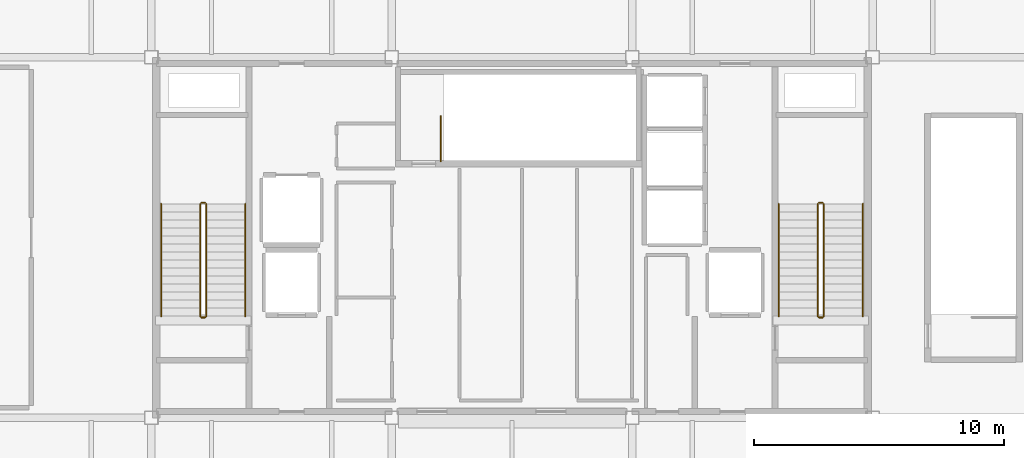
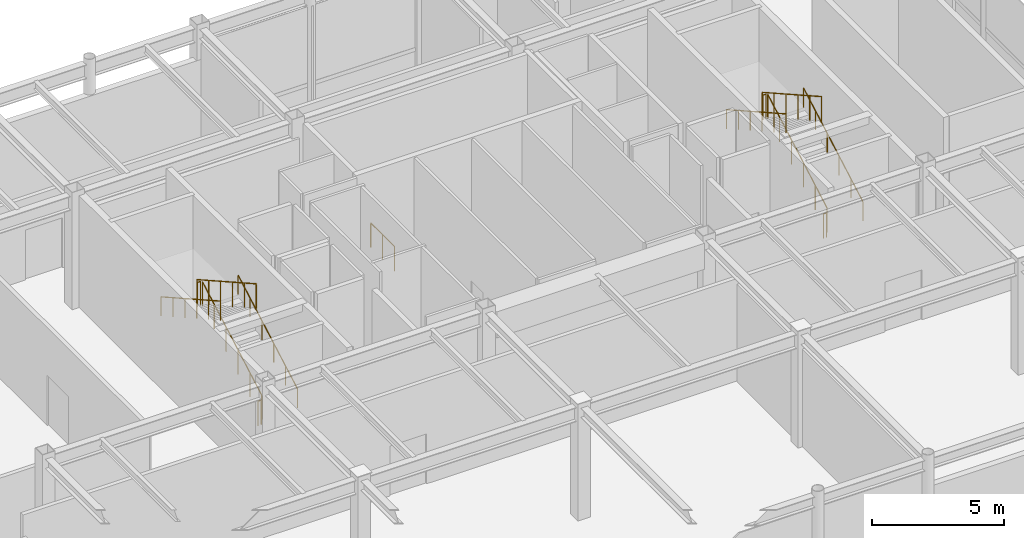
# One storey, part 20 of 21: 13 railings.
"""IFC4 building model written with IfcOpenShell, lengths in metres."""

from ifc_helpers import new_model, si_unit, direction, frame, origin, origin_2d, place, context, subcontext, project, spatial, circle, extrude, material, layer, layer_set, type_object, element, save


model = new_model("IFC4")

# Units and contexts
model_context = context("Model", 3, precision=1e-05, world=origin(), true_north=direction((0.0, 1.0)))
body_context = subcontext(model_context, "Body", "Model", "MODEL_VIEW")
ifc_project = project(units=[si_unit("LENGTHUNIT", "METRE"), si_unit("AREAUNIT", "SQUARE_METRE"), si_unit("VOLUMEUNIT", "CUBIC_METRE"), si_unit("PLANEANGLEUNIT", "RADIAN"), si_unit("MASSUNIT", "GRAM", prefix="KILO")], contexts=[model_context])

# Site, building, storey
site_placement = place(None, origin())
site = spatial("IfcSite", under=ifc_project, at=site_placement, CompositionType="ELEMENT")
building_placement = place(site_placement, origin())
building = spatial("IfcBuilding", under=site, at=building_placement, Name="Kallvorn Hotel Tower", CompositionType="ELEMENT")
storey_placement = place(building_placement, frame((0.0, 0.0, 300.60009765625)))
storey = spatial("IfcBuildingStorey", under=building, at=storey_placement, Name="L74", CompositionType="ELEMENT", Elevation=300.60009765625)

# Railings
ifc_material_1 = material(Name="Brushed stainless-steel tubular railing", Category="steel")
ifc_layer_1 = layer(ifc_material_1, 0.050048828125)
ifc_layer_set_1 = layer_set([ifc_layer_1], Name="RL_STAIR_GUARD")
railing_type_1 = type_object("IfcRailingType", Name="RL_STAIR_GUARD", PredefinedType="GUARDRAIL", material=ifc_layer_set_1)
railing_1_placement = place(storey_placement, frame((-12.2099609375, -3.139892578125, 0.179931640625)))
element("IfcRailing", 1, at=railing_1_placement, inside=storey, type_object=railing_type_1, Name="L74 ST1 stair guard 1", PredefinedType="GUARDRAIL", context=body_context, shape_type="SweptSolid", body=[
    extrude(circle(Radius=0.02392578125, at=origin_2d()), frame((0.0, 0.0, 1.1259765625), z_axis=(0.0, 0.871573000172, 0.490265749743), x_axis=(-1.0, 0.0, 0.0)), (0.0, 0.0, 1.0), 5.14013671875),
    extrude(circle(Radius=0.02099609375, at=origin_2d()), origin(), (0.0, 0.0, 1.0), 1.101806640625),
    extrude(circle(Radius=0.02099609375, at=origin_2d()), frame((0.0, 0.89599609375, 0.50390625)), (0.0, 0.0, 1.0), 1.101806640625),
    extrude(circle(Radius=0.02099609375, at=origin_2d()), frame((0.0, 1.7919921875, 1.008056640625)), (0.0, 0.0, 1.0), 1.101806640625),
    extrude(circle(Radius=0.02099609375, at=origin_2d()), frame((0.0, 2.68798828125, 1.511962890625)), (0.0, 0.0, 1.0), 1.101806640625),
    extrude(circle(Radius=0.02099609375, at=origin_2d()), frame((0.0, 3.583984375, 2.01611328125)), (0.0, 0.0, 1.0), 1.101806640625),
    extrude(circle(Radius=0.02099609375, at=origin_2d()), frame((0.0, 4.47998046875, 2.52001953125)), (0.0, 0.0, 1.0), 1.101806640625),
])
railing_2_placement = place(storey_placement, frame((-12.260009765625, 1.389892578125, 2.699951171875)))
element("IfcRailing", 2, at=railing_2_placement, inside=storey, type_object=railing_type_1, Name="L74 ST1 stair guard 2", PredefinedType="GUARDRAIL", context=body_context, shape_type="SweptSolid", body=[
    extrude(circle(Radius=0.02392578125, at=origin_2d()), frame((0.0, 0.0, 1.1259765625), z_axis=(-1.0, 0.0, 0.0), x_axis=(0.0, -1.0, 0.0)), (0.0, 0.0, 1.0), 0.139892578125),
    extrude(circle(Radius=0.02099609375, at=origin_2d()), origin(), (0.0, 0.0, 1.0), 1.101806640625),
    extrude(circle(Radius=0.02099609375, at=origin_2d()), frame((-0.139892578125, 0.0, 0.0)), (0.0, 0.0, 1.0), 1.101806640625),
])
railing_3_placement = place(storey_placement, frame((-12.449951171875, 1.340087890625, 2.8798828125)))
element("IfcRailing", 3, at=railing_3_placement, inside=storey, type_object=railing_type_1, Name="L74 ST1 stair guard 3", PredefinedType="GUARDRAIL", context=body_context, shape_type="SweptSolid", body=[
    extrude(circle(Radius=0.02392578125, at=origin_2d()), frame((0.0, 0.0, 1.1259765625), z_axis=(0.0, -0.871573000172, 0.490265749743), x_axis=(1.0, 0.0, 0.0)), (0.0, 0.0, 1.0), 5.14013671875),
    extrude(circle(Radius=0.02099609375, at=origin_2d()), origin(), (0.0, 0.0, 1.0), 1.101806640625),
    extrude(circle(Radius=0.02099609375, at=origin_2d()), frame((0.0, -0.89599609375, 0.50390625)), (0.0, 0.0, 1.0), 1.101806640625),
    extrude(circle(Radius=0.02099609375, at=origin_2d()), frame((0.0, -1.7919921875, 1.008056640625)), (0.0, 0.0, 1.0), 1.101806640625),
    extrude(circle(Radius=0.02099609375, at=origin_2d()), frame((0.0, -2.68798828125, 1.511962890625)), (0.0, 0.0, 1.0), 1.101806640625),
    extrude(circle(Radius=0.02099609375, at=origin_2d()), frame((0.0, -3.583984375, 2.01611328125)), (0.0, 0.0, 1.0), 1.101806640625),
    extrude(circle(Radius=0.02099609375, at=origin_2d()), frame((0.0, -4.47998046875, 2.52001953125)), (0.0, 0.0, 1.0), 1.101806640625),
])
railing_4_placement = place(storey_placement, frame((-12.260009765625, -3.18994140625, 0.0)))
element("IfcRailing", 4, at=railing_4_placement, inside=storey, type_object=railing_type_1, Name="L74 ST1 stair guard 4", PredefinedType="GUARDRAIL", context=body_context, shape_type="SweptSolid", body=[
    extrude(circle(Radius=0.02392578125, at=origin_2d()), frame((0.0, 0.0, 1.1259765625), z_axis=(-1.0, 0.0, 0.0), x_axis=(0.0, -1.0, 0.0)), (0.0, 0.0, 1.0), 0.139892578125),
    extrude(circle(Radius=0.02099609375, at=origin_2d()), origin(), (0.0, 0.0, 1.0), 1.101806640625),
    extrude(circle(Radius=0.02099609375, at=origin_2d()), frame((-0.139892578125, 0.0, 0.0)), (0.0, 0.0, 1.0), 1.101806640625),
])
railing_5_placement = place(storey_placement, frame((12.449951171875, -3.139892578125, 0.179931640625)))
element("IfcRailing", 5, at=railing_5_placement, inside=storey, type_object=railing_type_1, Name="L74 ST2 stair guard 1", PredefinedType="GUARDRAIL", context=body_context, shape_type="SweptSolid", body=[
    extrude(circle(Radius=0.02392578125, at=origin_2d()), frame((0.0, 0.0, 1.1259765625), z_axis=(0.0, 0.871573000172, 0.490265749743), x_axis=(-1.0, 0.0, 0.0)), (0.0, 0.0, 1.0), 5.14013671875),
    extrude(circle(Radius=0.02099609375, at=origin_2d()), origin(), (0.0, 0.0, 1.0), 1.101806640625),
    extrude(circle(Radius=0.02099609375, at=origin_2d()), frame((0.0, 0.89599609375, 0.50390625)), (0.0, 0.0, 1.0), 1.101806640625),
    extrude(circle(Radius=0.02099609375, at=origin_2d()), frame((0.0, 1.7919921875, 1.008056640625)), (0.0, 0.0, 1.0), 1.101806640625),
    extrude(circle(Radius=0.02099609375, at=origin_2d()), frame((0.0, 2.68798828125, 1.511962890625)), (0.0, 0.0, 1.0), 1.101806640625),
    extrude(circle(Radius=0.02099609375, at=origin_2d()), frame((0.0, 3.583984375, 2.01611328125)), (0.0, 0.0, 1.0), 1.101806640625),
    extrude(circle(Radius=0.02099609375, at=origin_2d()), frame((0.0, 4.47998046875, 2.52001953125)), (0.0, 0.0, 1.0), 1.101806640625),
])
railing_6_placement = place(storey_placement, frame((12.39990234375, 1.389892578125, 2.699951171875)))
element("IfcRailing", 6, at=railing_6_placement, inside=storey, type_object=railing_type_1, Name="L74 ST2 stair guard 2", PredefinedType="GUARDRAIL", context=body_context, shape_type="SweptSolid", body=[
    extrude(circle(Radius=0.02392578125, at=origin_2d()), frame((0.0, 0.0, 1.1259765625), z_axis=(-1.0, 0.0, 0.0), x_axis=(0.0, -1.0, 0.0)), (0.0, 0.0, 1.0), 0.139892578125),
    extrude(circle(Radius=0.02099609375, at=origin_2d()), origin(), (0.0, 0.0, 1.0), 1.101806640625),
    extrude(circle(Radius=0.02099609375, at=origin_2d()), frame((-0.139892578125, 0.0, 0.0)), (0.0, 0.0, 1.0), 1.101806640625),
])
railing_7_placement = place(storey_placement, frame((12.2099609375, 1.340087890625, 2.8798828125)))
element("IfcRailing", 7, at=railing_7_placement, inside=storey, type_object=railing_type_1, Name="L74 ST2 stair guard 3", PredefinedType="GUARDRAIL", context=body_context, shape_type="SweptSolid", body=[
    extrude(circle(Radius=0.02392578125, at=origin_2d()), frame((0.0, 0.0, 1.1259765625), z_axis=(0.0, -0.871573000172, 0.490265749743), x_axis=(1.0, 0.0, 0.0)), (0.0, 0.0, 1.0), 5.14013671875),
    extrude(circle(Radius=0.02099609375, at=origin_2d()), origin(), (0.0, 0.0, 1.0), 1.101806640625),
    extrude(circle(Radius=0.02099609375, at=origin_2d()), frame((0.0, -0.89599609375, 0.50390625)), (0.0, 0.0, 1.0), 1.101806640625),
    extrude(circle(Radius=0.02099609375, at=origin_2d()), frame((0.0, -1.7919921875, 1.008056640625)), (0.0, 0.0, 1.0), 1.101806640625),
    extrude(circle(Radius=0.02099609375, at=origin_2d()), frame((0.0, -2.68798828125, 1.511962890625)), (0.0, 0.0, 1.0), 1.101806640625),
    extrude(circle(Radius=0.02099609375, at=origin_2d()), frame((0.0, -3.583984375, 2.01611328125)), (0.0, 0.0, 1.0), 1.101806640625),
    extrude(circle(Radius=0.02099609375, at=origin_2d()), frame((0.0, -4.47998046875, 2.52001953125)), (0.0, 0.0, 1.0), 1.101806640625),
])
railing_8_placement = place(storey_placement, frame((12.39990234375, -3.18994140625, 0.0)))
element("IfcRailing", 8, at=railing_8_placement, inside=storey, type_object=railing_type_1, Name="L74 ST2 stair guard 4", PredefinedType="GUARDRAIL", context=body_context, shape_type="SweptSolid", body=[
    extrude(circle(Radius=0.02392578125, at=origin_2d()), frame((0.0, 0.0, 1.1259765625), z_axis=(-1.0, 0.0, 0.0), x_axis=(0.0, -1.0, 0.0)), (0.0, 0.0, 1.0), 0.139892578125),
    extrude(circle(Radius=0.02099609375, at=origin_2d()), origin(), (0.0, 0.0, 1.0), 1.101806640625),
    extrude(circle(Radius=0.02099609375, at=origin_2d()), frame((-0.139892578125, 0.0, 0.0)), (0.0, 0.0, 1.0), 1.101806640625),
])
railing_9_placement = place(storey_placement, frame((-2.840087890625, 3.050048828125, 0.0)))
element("IfcRailing", 9, at=railing_9_placement, inside=storey, type_object=railing_type_1, Name="L74 ST3 top well guard 1", PredefinedType="GUARDRAIL", context=body_context, shape_type="SweptSolid", body=[
    extrude(circle(Radius=0.02392578125, at=origin_2d()), frame((0.0, 0.0, 1.1259765625), z_axis=(0.0, 1.0, 0.0), x_axis=(-1.0, 0.0, 0.0)), (0.0, 0.0, 1.0), 1.800048828125),
    extrude(circle(Radius=0.02099609375, at=origin_2d()), origin(), (0.0, 0.0, 1.0), 1.101806640625),
    extrude(circle(Radius=0.02099609375, at=origin_2d()), frame((0.0, 0.89990234375, 0.0)), (0.0, 0.0, 1.0), 1.101806640625),
    extrude(circle(Radius=0.02099609375, at=origin_2d()), frame((0.0, 1.800048828125, 0.0)), (0.0, 0.0, 1.0), 1.101806640625),
])
ifc_material_2 = material(Name="Brushed stainless-steel tubular railing", Category="steel")
ifc_layer_2 = layer(ifc_material_2, 0.050048828125)
ifc_layer_set_2 = layer_set([ifc_layer_2], Name="RL_STAIR_HAND")
railing_type_2 = type_object("IfcRailingType", Name="RL_STAIR_HAND", PredefinedType="HANDRAIL", material=ifc_layer_set_2)
railing_10_placement = place(storey_placement, frame((-10.64990234375, -3.139892578125, 0.179931640625)))
element("IfcRailing", 10, at=railing_10_placement, inside=storey, type_object=railing_type_2, Name="L74 ST1 stair handrail 1", PredefinedType="HANDRAIL", context=body_context, shape_type="SweptSolid", body=[
    extrude(circle(Radius=0.02392578125, at=origin_2d()), frame((0.0, 0.0, 0.8759765625), z_axis=(0.0, 0.871573000172, 0.490265749743), x_axis=(-1.0, 0.0, 0.0)), (0.0, 0.0, 1.0), 5.14013671875),
    extrude(circle(Radius=0.02099609375, at=origin_2d()), origin(), (0.0, 0.0, 1.0), 0.851806640625),
    extrude(circle(Radius=0.02099609375, at=origin_2d()), frame((0.0, 0.89599609375, 0.50390625)), (0.0, 0.0, 1.0), 0.851806640625),
    extrude(circle(Radius=0.02099609375, at=origin_2d()), frame((0.0, 1.7919921875, 1.008056640625)), (0.0, 0.0, 1.0), 0.851806640625),
    extrude(circle(Radius=0.02099609375, at=origin_2d()), frame((0.0, 2.68798828125, 1.511962890625)), (0.0, 0.0, 1.0), 0.851806640625),
    extrude(circle(Radius=0.02099609375, at=origin_2d()), frame((0.0, 3.583984375, 2.01611328125)), (0.0, 0.0, 1.0), 0.851806640625),
    extrude(circle(Radius=0.02099609375, at=origin_2d()), frame((0.0, 4.47998046875, 2.52001953125)), (0.0, 0.0, 1.0), 0.851806640625),
])
railing_11_placement = place(storey_placement, frame((-14.010009765625, 1.340087890625, 2.8798828125)))
element("IfcRailing", 11, at=railing_11_placement, inside=storey, type_object=railing_type_2, Name="L74 ST1 stair handrail 2", PredefinedType="HANDRAIL", context=body_context, shape_type="SweptSolid", body=[
    extrude(circle(Radius=0.02392578125, at=origin_2d()), frame((0.0, 0.0, 0.8759765625), z_axis=(0.0, -0.871573000172, 0.490265749743), x_axis=(1.0, 0.0, 0.0)), (0.0, 0.0, 1.0), 5.14013671875),
    extrude(circle(Radius=0.02099609375, at=origin_2d()), origin(), (0.0, 0.0, 1.0), 0.851806640625),
    extrude(circle(Radius=0.02099609375, at=origin_2d()), frame((0.0, -0.89599609375, 0.50390625)), (0.0, 0.0, 1.0), 0.851806640625),
    extrude(circle(Radius=0.02099609375, at=origin_2d()), frame((0.0, -1.7919921875, 1.008056640625)), (0.0, 0.0, 1.0), 0.851806640625),
    extrude(circle(Radius=0.02099609375, at=origin_2d()), frame((0.0, -2.68798828125, 1.511962890625)), (0.0, 0.0, 1.0), 0.851806640625),
    extrude(circle(Radius=0.02099609375, at=origin_2d()), frame((0.0, -3.583984375, 2.01611328125)), (0.0, 0.0, 1.0), 0.851806640625),
    extrude(circle(Radius=0.02099609375, at=origin_2d()), frame((0.0, -4.47998046875, 2.52001953125)), (0.0, 0.0, 1.0), 0.851806640625),
])
railing_12_placement = place(storey_placement, frame((14.010009765625, -3.139892578125, 0.179931640625)))
element("IfcRailing", 12, at=railing_12_placement, inside=storey, type_object=railing_type_2, Name="L74 ST2 stair handrail 1", PredefinedType="HANDRAIL", context=body_context, shape_type="SweptSolid", body=[
    extrude(circle(Radius=0.02392578125, at=origin_2d()), frame((0.0, 0.0, 0.8759765625), z_axis=(0.0, 0.871573000172, 0.490265749743), x_axis=(-1.0, 0.0, 0.0)), (0.0, 0.0, 1.0), 5.14013671875),
    extrude(circle(Radius=0.02099609375, at=origin_2d()), origin(), (0.0, 0.0, 1.0), 0.851806640625),
    extrude(circle(Radius=0.02099609375, at=origin_2d()), frame((0.0, 0.89599609375, 0.50390625)), (0.0, 0.0, 1.0), 0.851806640625),
    extrude(circle(Radius=0.02099609375, at=origin_2d()), frame((0.0, 1.7919921875, 1.008056640625)), (0.0, 0.0, 1.0), 0.851806640625),
    extrude(circle(Radius=0.02099609375, at=origin_2d()), frame((0.0, 2.68798828125, 1.511962890625)), (0.0, 0.0, 1.0), 0.851806640625),
    extrude(circle(Radius=0.02099609375, at=origin_2d()), frame((0.0, 3.583984375, 2.01611328125)), (0.0, 0.0, 1.0), 0.851806640625),
    extrude(circle(Radius=0.02099609375, at=origin_2d()), frame((0.0, 4.47998046875, 2.52001953125)), (0.0, 0.0, 1.0), 0.851806640625),
])
railing_13_placement = place(storey_placement, frame((10.64990234375, 1.340087890625, 2.8798828125)))
element("IfcRailing", 13, at=railing_13_placement, inside=storey, type_object=railing_type_2, Name="L74 ST2 stair handrail 2", PredefinedType="HANDRAIL", context=body_context, shape_type="SweptSolid", body=[
    extrude(circle(Radius=0.02392578125, at=origin_2d()), frame((0.0, 0.0, 0.8759765625), z_axis=(0.0, -0.871573000172, 0.490265749743), x_axis=(1.0, 0.0, 0.0)), (0.0, 0.0, 1.0), 5.14013671875),
    extrude(circle(Radius=0.02099609375, at=origin_2d()), origin(), (0.0, 0.0, 1.0), 0.851806640625),
    extrude(circle(Radius=0.02099609375, at=origin_2d()), frame((0.0, -0.89599609375, 0.50390625)), (0.0, 0.0, 1.0), 0.851806640625),
    extrude(circle(Radius=0.02099609375, at=origin_2d()), frame((0.0, -1.7919921875, 1.008056640625)), (0.0, 0.0, 1.0), 0.851806640625),
    extrude(circle(Radius=0.02099609375, at=origin_2d()), frame((0.0, -2.68798828125, 1.511962890625)), (0.0, 0.0, 1.0), 0.851806640625),
    extrude(circle(Radius=0.02099609375, at=origin_2d()), frame((0.0, -3.583984375, 2.01611328125)), (0.0, 0.0, 1.0), 0.851806640625),
    extrude(circle(Radius=0.02099609375, at=origin_2d()), frame((0.0, -4.47998046875, 2.52001953125)), (0.0, 0.0, 1.0), 0.851806640625),
])

save(model, "model.ifc")
